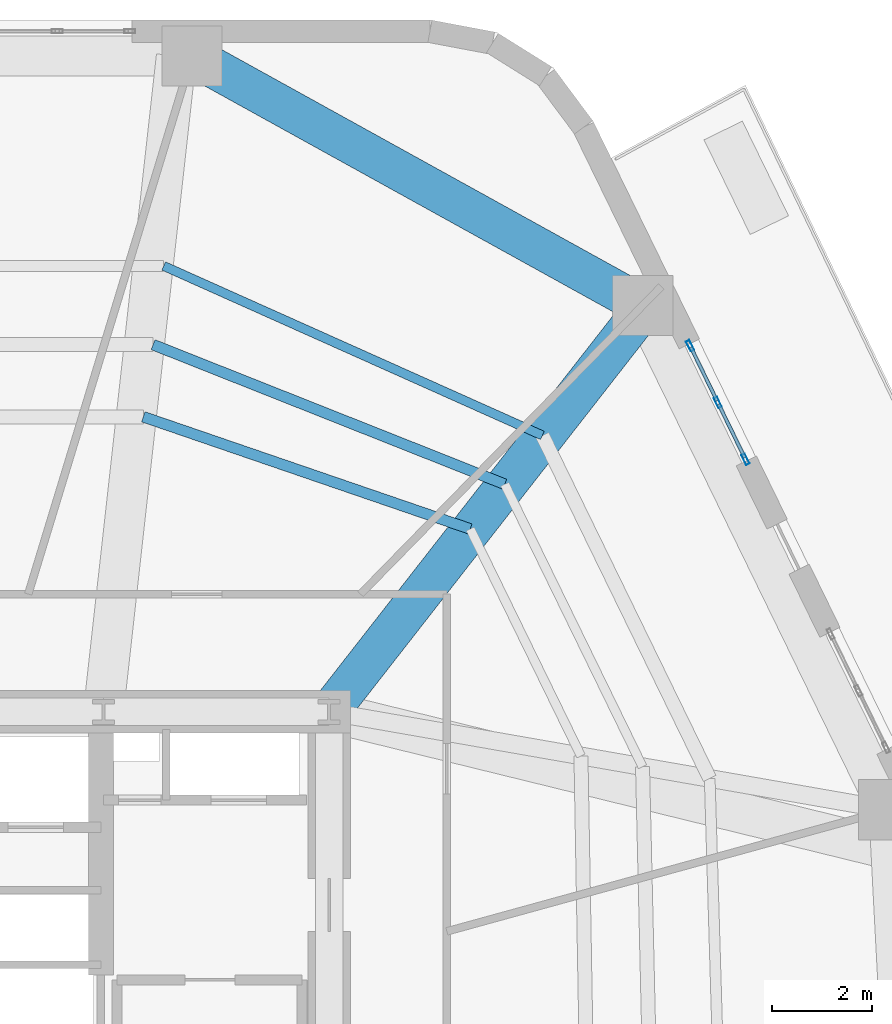
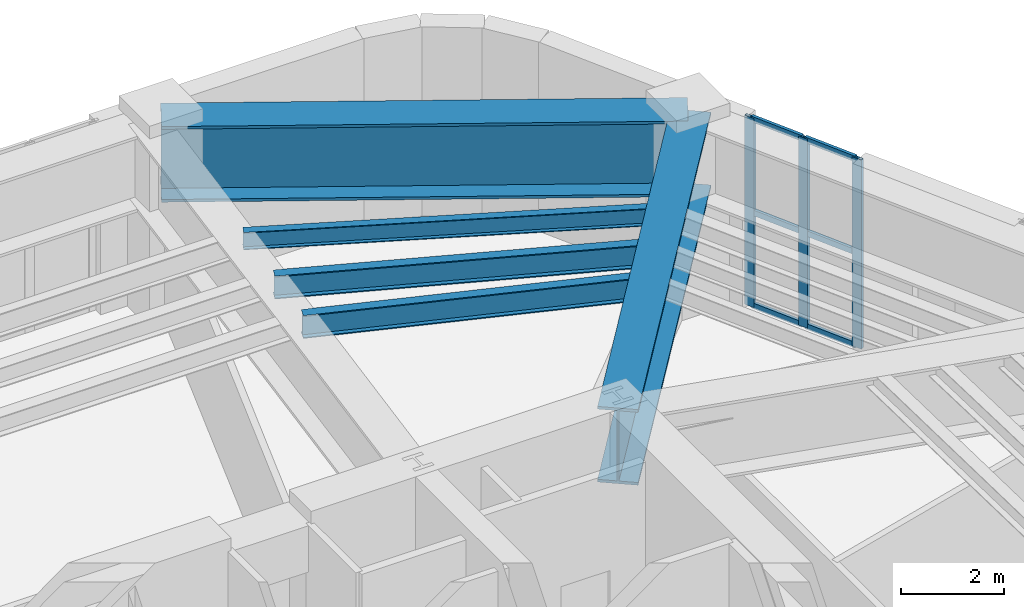
# One storey, part 14 of 22: 9 members, 5 beams, 1 element without a shape of its own.
"""IFC4 building model written with IfcOpenShell, lengths in metres."""

import ifcopenshell
import ifcopenshell.guid

model = None  # the IFC model being written
_history = None  # IfcOwnerHistory: only IFC2X3 demands one
_inside = {}  # id of a spatial element -> (the spatial element, [elements in it])
_under = {}  # id of a project, library or spatial element -> (it, [spatial elements below it])
_declared = {}  # id of a project -> (the project, [libraries it declares])
_typed = {}  # id of a type object -> (the type object, [elements of that type])
_made_of = {}  # id of a material, layer set ... -> (it, [elements and type objects made of it])


def new_model(schema):
    """Start an empty IFC model of exactly this schema.

    Asked for "IFC4X3", IfcOpenShell would pick the latest addendum, in which some entities
    have other attributes; the version numbers below select the first issue.
    IFC2X3 requires an IfcOwnerHistory on every rooted entity: one is made here for all.
    """
    global model, _history
    if schema == "IFC4X3":
        model = ifcopenshell.file(schema_version=(4, 3, 0, 0))
    else:
        model = ifcopenshell.file(schema=schema)
    _inside.clear()
    _under.clear()
    _declared.clear()
    _typed.clear()
    _made_of.clear()
    _history = None
    if model.schema == "IFC2X3":
        org = make("IfcOrganization", Name="unknown")
        user = make(
            "IfcPersonAndOrganization",
            ThePerson=make("IfcPerson", FamilyName="unknown"),
            TheOrganization=org,
        )
        app = make(
            "IfcApplication",
            ApplicationDeveloper=org,
            Version="unknown",
            ApplicationFullName="unknown",
            ApplicationIdentifier="unknown",
        )
        _history = make(
            "IfcOwnerHistory",
            OwningUser=user,
            OwningApplication=app,
            ChangeAction="ADDED",
            CreationDate=0,
        )
    return model


def make(cls, **values):
    """One entity of the class cls with the attributes given. An attribute that is None is left unset."""
    return model.create_entity(
        cls, **{name: value for name, value in values.items() if value is not None}
    )


def rooted(cls, **values):
    """An entity with a GlobalId (a new one), such as an element, a storey or a relation."""
    return make(cls, GlobalId=ifcopenshell.guid.new(), OwnerHistory=_history, **values)


def si_unit(unit_type, name, prefix=None):
    """IfcSIUnit, for example si_unit("LENGTHUNIT", "METRE", prefix="MILLI")."""
    return make("IfcSIUnit", UnitType=unit_type, Prefix=prefix, Name=name)


def assignment(units):
    """IfcUnitAssignment: the units of a project."""
    return None if units is None else make("IfcUnitAssignment", Units=units)


def point(xyz):
    """IfcCartesianPoint."""
    return None if xyz is None else make("IfcCartesianPoint", Coordinates=xyz)


def direction(xyz):
    """IfcDirection."""
    return None if xyz is None else make("IfcDirection", DirectionRatios=xyz)


def frame(location, z_axis=None, x_axis=None):
    """IfcAxis2Placement3D, a coordinate frame: its origin and axes. An axis left out is left unset."""
    return make(
        "IfcAxis2Placement3D",
        Location=point(location),
        Axis=direction(z_axis),
        RefDirection=direction(x_axis),
    )


def frame_2d(location, x_axis=None):
    """IfcAxis2Placement2D, a coordinate frame in the plane: its origin and x axis."""
    return make(
        "IfcAxis2Placement2D", Location=point(location), RefDirection=direction(x_axis)
    )


def origin():
    """The frame at (0, 0, 0) with its axes left unset."""
    return frame((0.0, 0.0, 0.0))


def origin_2d():
    """The frame at (0, 0) in the plane with its x axis left unset."""
    return frame_2d((0.0, 0.0))


def place(relative_to, where):
    """IfcLocalPlacement: puts the frame where relative to a parent placement (None: the world)."""
    return make(
        "IfcLocalPlacement", PlacementRelTo=relative_to, RelativePlacement=where
    )


def context(
    kind, dimensions, precision=None, world=None, true_north=None, identifier=None
):
    """IfcGeometricRepresentationContext, for example the 3D "Model" context."""
    return make(
        "IfcGeometricRepresentationContext",
        ContextIdentifier=identifier,
        ContextType=kind,
        CoordinateSpaceDimension=dimensions,
        Precision=precision,
        WorldCoordinateSystem=world,
        TrueNorth=true_north,
    )


def subcontext(parent, identifier, kind, view, scale=None):
    """IfcGeometricRepresentationSubContext, for example "Body" below "Model"."""
    return make(
        "IfcGeometricRepresentationSubContext",
        ContextIdentifier=identifier,
        ContextType=kind,
        ParentContext=parent,
        TargetScale=scale,
        TargetView=view,
    )


def project(units=None, contexts=None):
    """IfcProject with its units and contexts."""
    return rooted(
        "IfcProject",
        Name="project",
        RepresentationContexts=contexts,
        UnitsInContext=assignment(units),
    )


def spatial(cls, under=None, at=None, **own):
    """A site, building, storey or space (cls), placed at a placement, below another one or the project."""
    s = rooted(cls, ObjectPlacement=at, **own)
    if under is not None:
        _under.setdefault(under.id(), (under, []))[1].append(s)
    return s


def profile(cls, at=None, kind="AREA", **sizes):
    """A parametric profile (cls). Its sizes go by their IFC names, for example OverallWidth=200.0."""
    return make(cls, ProfileType=kind, Position=at, **sizes)


def hollow_rectangle(**sizes):
    """IfcRectangleHollowProfileDef."""
    return profile("IfcRectangleHollowProfileDef", **sizes)


def i_section(**sizes):
    """IfcIShapeProfileDef."""
    return profile("IfcIShapeProfileDef", **sizes)


def extrude(swept, where, along, depth):
    """IfcExtrudedAreaSolid: the profile swept, set in the frame where, extruded along a direction by depth."""
    return make(
        "IfcExtrudedAreaSolid",
        SweptArea=swept,
        Position=where,
        ExtrudedDirection=direction(along),
        Depth=depth,
    )


def shape(context_of_items, identifier, shape_type, items):
    """IfcShapeRepresentation: the items that make up one representation, for example the "Body"."""
    return make(
        "IfcShapeRepresentation",
        ContextOfItems=context_of_items,
        RepresentationIdentifier=identifier,
        RepresentationType=shape_type,
        Items=items,
    )


def material(Name=None, Category=None):
    """IfcMaterial."""
    return make("IfcMaterial", Name=Name, Category=Category)


def layer(
    of_material, thickness, ventilated=None, Name=None, Category=None, Priority=None
):
    """IfcMaterialLayer: one layer of a wall or slab, of a material (None: an air gap)."""
    return make(
        "IfcMaterialLayer",
        Material=of_material,
        LayerThickness=thickness,
        IsVentilated=ventilated,
        Name=Name,
        Category=Category,
        Priority=Priority,
    )


def layer_set(layers, Name=None):
    """IfcMaterialLayerSet."""
    return make("IfcMaterialLayerSet", MaterialLayers=layers, LayerSetName=Name)


def material_profile(
    of_material, cross_section, Name=None, Category=None, Priority=None
):
    """IfcMaterialProfile: a cross section and its material."""
    return make(
        "IfcMaterialProfile",
        Name=Name,
        Material=of_material,
        Profile=cross_section,
        Priority=Priority,
        Category=Category,
    )


def profile_set(profiles, Name=None, composite=None):
    """IfcMaterialProfileSet."""
    return make(
        "IfcMaterialProfileSet",
        Name=Name,
        MaterialProfiles=profiles,
        CompositeProfile=composite,
    )


def made_of(thing, what):
    """Note that an element or type object is made of a material, layer set ...; save() writes the relation."""
    if what is not None:
        _made_of.setdefault(what.id(), (what, []))[1].append(thing)
    return thing


def type_object(cls, material=None, **own):
    """A type object (cls), such as IfcWallType, which elements share."""
    return made_of(rooted(cls, **own), material)


def element(
    cls,
    number,
    at=None,
    inside=None,
    cuts=None,
    type_object=None,
    material=None,
    context=None,
    identifier="Body",
    shape_type=None,
    held_by="IfcProductDefinitionShape",
    body=None,
    shapes=None,
    **own,
):
    """One element of the class cls, such as IfcWall. Its Tag is "e" and its number.

    at: its placement. inside: the storey or other place that contains it. cuts: it is an
    opening in that element (IfcRelVoidsElement). A single representation is given by context,
    identifier, shape_type and body (its items); several are given by shapes. held_by: the class
    of the entity that holds the representations. save() writes the other relations.
    """
    e = rooted(cls, Tag="e%d" % number, ObjectPlacement=at, **own)
    if body is not None:
        shapes = [shape(context, identifier, shape_type, body)]
    if shapes is not None:
        e.Representation = make(held_by, Representations=shapes)
    if inside is not None:
        _inside.setdefault(inside.id(), (inside, []))[1].append(e)
    if cuts is not None:
        rooted(
            "IfcRelVoidsElement", RelatingBuildingElement=cuts, RelatedOpeningElement=e
        )
    if type_object is not None:
        _typed.setdefault(type_object.id(), (type_object, []))[1].append(e)
    return made_of(e, material)


def aggregate(whole, parts):
    """IfcRelAggregates: a whole, such as a stair, and the parts it consists of."""
    return rooted("IfcRelAggregates", RelatingObject=whole, RelatedObjects=parts)


def save(model, path):
    """Write the relations noted so far, then the file.

    IfcRelAggregates (storeys below a building ...), IfcRelContainedInSpatialStructure (elements
    in a storey), IfcRelDefinesByType, IfcRelAssociatesMaterial and IfcRelDeclares: one each for
    every whole, place, type object, material and project.
    """
    for whole, parts in _under.values():
        aggregate(whole, parts)
    for where, things in _inside.values():
        rooted(
            "IfcRelContainedInSpatialStructure",
            RelatedElements=things,
            RelatingStructure=where,
        )
    for kind, things in _typed.values():
        rooted("IfcRelDefinesByType", RelatedObjects=things, RelatingType=kind)
    for what, things in _made_of.values():
        rooted("IfcRelAssociatesMaterial", RelatedObjects=things, RelatingMaterial=what)
    for by, libraries in _declared.values():
        rooted("IfcRelDeclares", RelatingContext=by, RelatedDefinitions=libraries)
    model.write(path)


model = new_model("IFC4")

# Units and contexts
model_context = context("Model", 3, precision=1e-05, world=origin(), true_north=direction((0.0, 1.0)))
body_context = subcontext(model_context, "Body", "Model", "MODEL_VIEW")
ifc_project = project(units=[si_unit("LENGTHUNIT", "METRE"), si_unit("AREAUNIT", "SQUARE_METRE"), si_unit("VOLUMEUNIT", "CUBIC_METRE"), si_unit("PLANEANGLEUNIT", "RADIAN"), si_unit("MASSUNIT", "GRAM", prefix="KILO")], contexts=[model_context])

# Site, building, storey
site_placement = place(None, origin())
site = spatial("IfcSite", under=ifc_project, at=site_placement, CompositionType="ELEMENT")
building_placement = place(site_placement, origin())
building = spatial("IfcBuilding", under=site, at=building_placement, Name="Kilnhurst Terrace Hotel", CompositionType="ELEMENT")
storey_placement = place(building_placement, frame((0.0, 0.0, 139.5)))
storey = spatial("IfcBuildingStorey", under=building, at=storey_placement, Name="L34", CompositionType="ELEMENT", Elevation=139.5)

# Beams
ifc_material_1 = material(Name="Steel ASTM A992 Grade 50", Category="steel")
ifc_material_profile_1 = material_profile(ifc_material_1, i_section(OverallWidth=0.180908203125, OverallDepth=0.417236328125, WebThickness=0.010986328125, FlangeThickness=0.018310546875, at=origin_2d()), Name="W16X57")
ifc_profile_set_1 = profile_set([ifc_material_profile_1], Name="Steel ASTM A992 Grade 50")
beam_type_1 = type_object("IfcBeamType", Name="JST-STL-W16X57", PredefinedType="JOIST", material=ifc_profile_set_1)
beam_1_placement = place(storey_placement, frame((13.2548828125, 13.01416015625, 4.291015625), z_axis=(-0.912760935806, 0.408494154262, 0.0), x_axis=(-0.408494154262, -0.912760935806, 0.0)))
element("IfcBeam", 1, at=beam_1_placement, inside=storey, type_object=beam_type_1, Name="L34 Secondary Floor Steel Joist OUT.6", PredefinedType="JOIST", context=body_context, shape_type="SweptSolid", body=[
    extrude(i_section(OverallWidth=0.180908203125, OverallDepth=0.417236328125, WebThickness=0.010986328125, FlangeThickness=0.018310546875, at=origin_2d()), origin(), (0.0, 0.0, 1.0), 8.274658203125),
])
ifc_material_profile_2 = material_profile(ifc_material_1, i_section(OverallWidth=0.2138671875, OverallDepth=0.549072265625, WebThickness=0.0146484375, FlangeThickness=0.023681640625, at=origin_2d()), Name="W21X93")
ifc_profile_set_2 = profile_set([ifc_material_profile_2], Name="Steel ASTM A992 Grade 50")
beam_type_2 = type_object("IfcBeamType", Name="JST-STL-W21X93", PredefinedType="JOIST", material=ifc_profile_set_2)
beam_2_placement = place(storey_placement, frame((11.815673828125, 11.14892578125, 4.22509765625), z_axis=(-0.945873585837, 0.324535297949, 0.0), x_axis=(-0.324535297949, -0.945873585837, 0.0)))
element("IfcBeam", 2, at=beam_2_placement, inside=storey, type_object=beam_type_2, Name="L34 Secondary Floor Steel Joist IN.6", PredefinedType="JOIST", context=body_context, shape_type="SweptSolid", body=[
    extrude(i_section(OverallWidth=0.2138671875, OverallDepth=0.549072265625, WebThickness=0.0146484375, FlangeThickness=0.023681640625, at=origin_2d()), origin(), (0.0, 0.0, 1.0), 6.89306640625),
])
beam_3_placement = place(storey_placement, frame((12.50390625, 12.041015625, 4.22509765625), z_axis=(-0.929472927843, 0.368890331138, 0.0), x_axis=(-0.368890331138, -0.929472927843, 0.0)))
element("IfcBeam", 3, at=beam_3_placement, inside=storey, type_object=beam_type_2, Name="L34 Secondary Floor Steel Joist MID.6", PredefinedType="JOIST", context=body_context, shape_type="SweptSolid", body=[
    extrude(i_section(OverallWidth=0.2138671875, OverallDepth=0.549072265625, WebThickness=0.0146484375, FlangeThickness=0.023681640625, at=origin_2d()), origin(), (0.0, 0.0, 1.0), 7.546142578125),
])

# Curtain wall, members
ifc_material_2 = material(Name="Anodized Aluminium Alloy 6063-T6 and Low-E Glass", Category="aluminium")
ifc_layer = layer(ifc_material_2, 0.219970703125, Name="Anodized Aluminium Alloy 6063-T6 and Low-E Glass")
ifc_layer_set = layer_set([ifc_layer], Name="Anodized Aluminium Alloy 6063-T6 and Low-E Glass")
curtain_wall_type = type_object("IfcCurtainWallType", Name="CW-SKY-L34", PredefinedType="NOTDEFINED", material=ifc_layer_set)
curtain_wall_placement = place(storey_placement, origin())
curtain_wall = element("IfcCurtainWall", 4, at=curtain_wall_placement, inside=storey, type_object=curtain_wall_type, Name="L34 Curtain Wall CW-L34-F3-2", PredefinedType="NOTDEFINED")
ifc_material_3 = material(Name="Extruded Aluminium Alloy 6063-T6", Category="aluminium")
ifc_material_profile_3 = material_profile(ifc_material_3, hollow_rectangle(XDim=0.074951171875, YDim=0.219970703125, WallThickness=0.00390625, at=origin_2d()), Name="CWM75X220")
ifc_profile_set_3 = profile_set([ifc_material_profile_3], Name="Extruded Aluminium Alloy 6063-T6")
member_type_1 = type_object("IfcMemberType", Name="MEM-CWM75X220", PredefinedType="MULLION", material=ifc_profile_set_3)
member_1_placement = place(storey_placement, frame((17.3056640625, 12.5380859375, 0.0), z_axis=(0.0, 0.0, 1.0), x_axis=(-0.898798060484, -0.438362916395, 0.0)))
member_1 = element("IfcMember", 5, at=member_1_placement, type_object=member_type_1, Name="CWS-3 mullion 1", PredefinedType="MULLION", context=body_context, shape_type="SweptSolid", body=[
    extrude(hollow_rectangle(XDim=0.074951171875, YDim=0.219970703125, WallThickness=0.00390625, at=origin_2d()), origin(), (0.0, 0.0, 1.0), 4.5),
])
member_2_placement = place(storey_placement, frame((16.753173828125, 13.671142578125, 0.0), z_axis=(0.0, 0.0, 1.0), x_axis=(-0.898798060484, -0.438362916395, 0.0)))
member_2 = element("IfcMember", 6, at=member_2_placement, type_object=member_type_1, Name="CWS-3 mullion 2", PredefinedType="MULLION", context=body_context, shape_type="SweptSolid", body=[
    extrude(hollow_rectangle(XDim=0.074951171875, YDim=0.219970703125, WallThickness=0.00390625, at=origin_2d()), origin(), (0.0, 0.0, 1.0), 4.5),
])
member_3_placement = place(storey_placement, frame((16.200439453125, 14.80419921875, 0.0), z_axis=(0.0, 0.0, 1.0), x_axis=(-0.898798060484, -0.438362916395, 0.0)))
member_3 = element("IfcMember", 7, at=member_3_placement, type_object=member_type_1, Name="CWS-3 mullion 3", PredefinedType="MULLION", context=body_context, shape_type="SweptSolid", body=[
    extrude(hollow_rectangle(XDim=0.074951171875, YDim=0.219970703125, WallThickness=0.00390625, at=origin_2d()), origin(), (0.0, 0.0, 1.0), 4.5),
])
ifc_material_profile_4 = material_profile(ifc_material_3, hollow_rectangle(XDim=0.070068359375, YDim=0.135009765625, WallThickness=0.00390625, at=origin_2d()), Name="CWT70X135")
ifc_profile_set_4 = profile_set([ifc_material_profile_4], Name="Extruded Aluminium Alloy 6063-T6")
member_type_2 = type_object("IfcMemberType", Name="MEM-CWT70X135", PredefinedType="USERDEFINED", material=ifc_profile_set_4)
member_4_placement = place(storey_placement, frame((17.289306640625, 12.572021484375, 0.034912109375), z_axis=(-0.438460149808, 0.898750631171, 0.0), x_axis=(-0.898750631171, -0.438460149808, 0.0)))
member_4 = element("IfcMember", 8, at=member_4_placement, type_object=member_type_2, Name="CWS-3 transom 1.1", ObjectType="TRANSOM", PredefinedType="USERDEFINED", context=body_context, shape_type="SweptSolid", body=[
    extrude(hollow_rectangle(XDim=0.070068359375, YDim=0.135009765625, WallThickness=0.00390625, at=origin_2d()), origin(), (0.0, 0.0, 1.0), 1.185546875),
])
member_5_placement = place(storey_placement, frame((17.289306640625, 12.572021484375, 2.25), z_axis=(-0.438460149808, 0.898750631171, 0.0), x_axis=(-0.898750631171, -0.438460149808, 0.0)))
member_5 = element("IfcMember", 9, at=member_5_placement, type_object=member_type_2, Name="CWS-3 transom 1.2", ObjectType="TRANSOM", PredefinedType="USERDEFINED", context=body_context, shape_type="SweptSolid", body=[
    extrude(hollow_rectangle(XDim=0.070068359375, YDim=0.135009765625, WallThickness=0.00390625, at=origin_2d()), origin(), (0.0, 0.0, 1.0), 1.185546875),
])
member_6_placement = place(storey_placement, frame((17.289306640625, 12.572021484375, 4.465087890625), z_axis=(-0.438460149808, 0.898750631171, 0.0), x_axis=(-0.898750631171, -0.438460149808, 0.0)))
member_6 = element("IfcMember", 10, at=member_6_placement, type_object=member_type_2, Name="CWS-3 transom 1.3", ObjectType="TRANSOM", PredefinedType="USERDEFINED", context=body_context, shape_type="SweptSolid", body=[
    extrude(hollow_rectangle(XDim=0.070068359375, YDim=0.135009765625, WallThickness=0.00390625, at=origin_2d()), origin(), (0.0, 0.0, 1.0), 1.185546875),
])
member_7_placement = place(storey_placement, frame((16.736572265625, 13.704833984375, 0.034912109375), z_axis=(-0.438212646202, 0.898871334902, 0.0), x_axis=(-0.898871334902, -0.438212646202, 0.0)))
member_7 = element("IfcMember", 11, at=member_7_placement, type_object=member_type_2, Name="CWS-3 transom 2.1", ObjectType="TRANSOM", PredefinedType="USERDEFINED", context=body_context, shape_type="SweptSolid", body=[
    extrude(hollow_rectangle(XDim=0.070068359375, YDim=0.135009765625, WallThickness=0.00390625, at=origin_2d()), origin(), (0.0, 0.0, 1.0), 1.185546875),
])
member_8_placement = place(storey_placement, frame((16.736572265625, 13.704833984375, 2.25), z_axis=(-0.438212646202, 0.898871334902, 0.0), x_axis=(-0.898871334902, -0.438212646202, 0.0)))
member_8 = element("IfcMember", 12, at=member_8_placement, type_object=member_type_2, Name="CWS-3 transom 2.2", ObjectType="TRANSOM", PredefinedType="USERDEFINED", context=body_context, shape_type="SweptSolid", body=[
    extrude(hollow_rectangle(XDim=0.070068359375, YDim=0.135009765625, WallThickness=0.00390625, at=origin_2d()), origin(), (0.0, 0.0, 1.0), 1.185546875),
])
member_9_placement = place(storey_placement, frame((16.736572265625, 13.704833984375, 4.465087890625), z_axis=(-0.438212646202, 0.898871334902, 0.0), x_axis=(-0.898871334902, -0.438212646202, 0.0)))
member_9 = element("IfcMember", 13, at=member_9_placement, type_object=member_type_2, Name="CWS-3 transom 2.3", ObjectType="TRANSOM", PredefinedType="USERDEFINED", context=body_context, shape_type="SweptSolid", body=[
    extrude(hollow_rectangle(XDim=0.070068359375, YDim=0.135009765625, WallThickness=0.00390625, at=origin_2d()), origin(), (0.0, 0.0, 1.0), 1.185546875),
])
aggregate(curtain_wall, [member_1, member_2, member_3, member_4, member_5, member_6, member_7, member_8, member_9])

# Beams
ifc_material_4 = material(Name="Steel ASTM A572 Grade 50", Category="steel")
ifc_material_profile_5 = material_profile(ifc_material_4, i_section(OverallWidth=0.800048828125, OverallDepth=1.800048828125, WebThickness=0.0400390625, FlangeThickness=0.06494140625, at=origin_2d()), Name="PG1800X800")
ifc_profile_set_5 = profile_set([ifc_material_profile_5], Name="Steel ASTM A572 Grade 50")
beam_type_3 = type_object("IfcBeamType", Name="TG-STEP-1800", PredefinedType="USERDEFINED", material=ifc_profile_set_5)
beam_4_placement = place(storey_placement, frame((15.257080078125, 15.60888671875, 3.60009765625), z_axis=(-0.875094010429, 0.483952965598, 0.0), x_axis=(-0.483952965598, -0.875094010429, 0.0)))
element("IfcBeam", 14, at=beam_4_placement, inside=storey, type_object=beam_type_3, Name="L34 Zone Step Perimeter Transfer Girder 6", ObjectType="GIRDER", PredefinedType="USERDEFINED", context=body_context, shape_type="SweptSolid", body=[
    extrude(i_section(OverallWidth=0.800048828125, OverallDepth=1.800048828125, WebThickness=0.0400390625, FlangeThickness=0.06494140625, at=origin_2d()), origin(), (0.0, 0.0, 1.0), 10.27197265625),
])
beam_5_placement = place(storey_placement, frame((9.0, 7.5, 3.60009765625), z_axis=(0.615372655061, 0.788236319516, 0.0), x_axis=(-0.788236319516, 0.615372655061, 0.0)))
element("IfcBeam", 15, at=beam_5_placement, inside=storey, type_object=beam_type_3, Name="L34 Zone Step Radial Transfer Girder 6", ObjectType="GIRDER", PredefinedType="USERDEFINED", context=body_context, shape_type="SweptSolid", body=[
    extrude(i_section(OverallWidth=0.800048828125, OverallDepth=1.800048828125, WebThickness=0.0400390625, FlangeThickness=0.06494140625, at=origin_2d()), origin(), (0.0, 0.0, 1.0), 10.2138671875),
])

save(model, "model.ifc")
